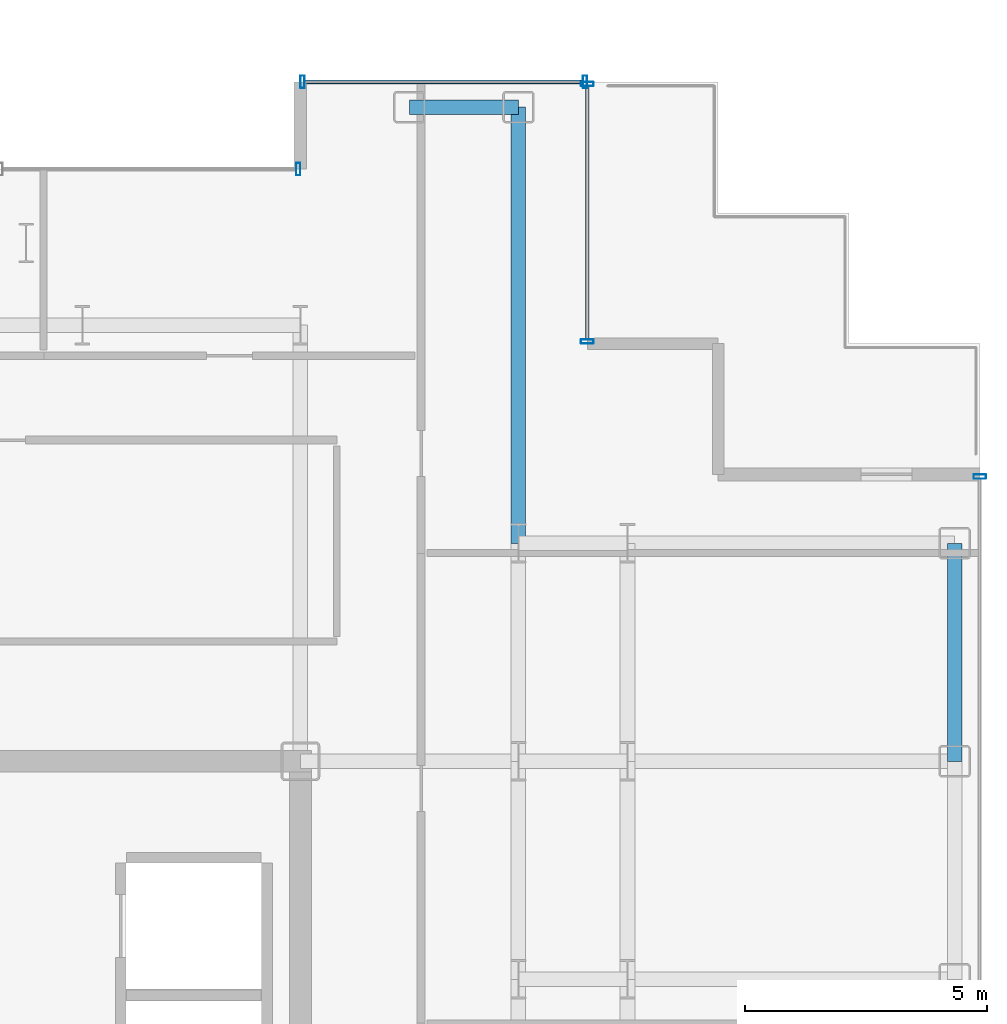
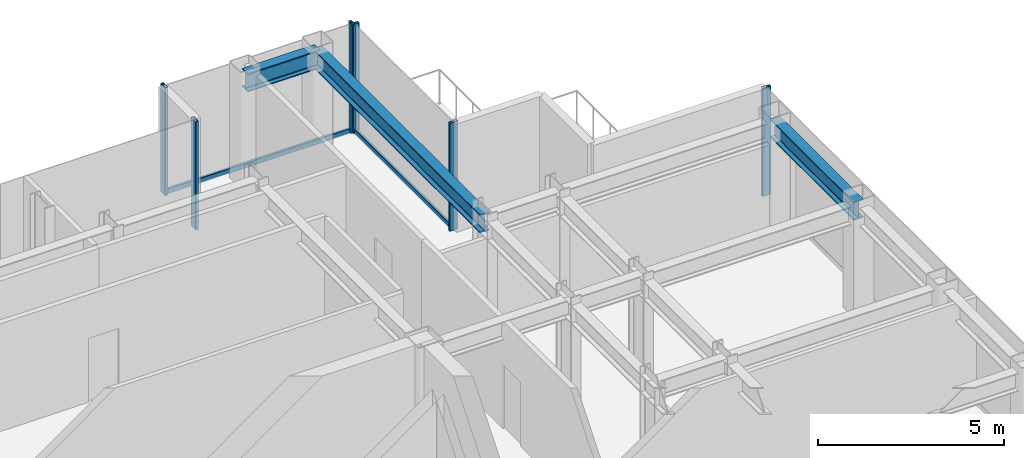
# One storey, part 12 of 20: 8 members, 3 beams, 4 elements without a shape of their own.
"""IFC4 building model written with IfcOpenShell, lengths in metres."""

from ifc_helpers import new_model, si_unit, direction, frame, origin, origin_2d, place, context, subcontext, project, spatial, hollow_rectangle, i_section, extrude, source, transform, mapped, material, layer, layer_set, material_profile, profile_set, type_object, element, aggregate, save


model = new_model("IFC4")

# Units and contexts
model_context = context("Model", 3, precision=1e-05, world=origin(), true_north=direction((0.0, 1.0)))
body_context = subcontext(model_context, "Body", "Model", "MODEL_VIEW")
ifc_project = project(units=[si_unit("LENGTHUNIT", "METRE"), si_unit("AREAUNIT", "SQUARE_METRE"), si_unit("VOLUMEUNIT", "CUBIC_METRE"), si_unit("PLANEANGLEUNIT", "RADIAN"), si_unit("MASSUNIT", "GRAM", prefix="KILO")], contexts=[model_context])

# Site, building, storey
site_placement = place(None, origin())
site = spatial("IfcSite", under=ifc_project, at=site_placement, CompositionType="ELEMENT")
building_placement = place(site_placement, origin())
building = spatial("IfcBuilding", under=site, at=building_placement, Name="Nefas-Gora Pilgrimage Tower", CompositionType="ELEMENT")
storey_placement = place(building_placement, frame((0.0, 0.0, 221.800048828125)))
storey = spatial("IfcBuildingStorey", under=building, at=storey_placement, Name="L55", CompositionType="ELEMENT", Elevation=221.800048828125)

# Beams
ifc_material_1 = material(Name="Steel S355", Category="steel")
ifc_material_profile_1 = material_profile(ifc_material_1, i_section(OverallWidth=0.300048828125, OverallDepth=0.60009765625, WebThickness=0.015380859375, FlangeThickness=0.030029296875, FilletRadius=0.027099609375, at=origin_2d()), Name="HEB 600")
ifc_profile_set_1 = profile_set([ifc_material_profile_1], Name="Steel S355")
beam_type_1 = type_object("IfcBeamType", Name="BM-SPN-HEB450", PredefinedType="SPANDREL", material=ifc_profile_set_1)
shared_shape_1 = source(origin(), body_context, "Body", "SweptSolid", [
    extrude(i_section(OverallWidth=0.300048828125, OverallDepth=0.60009765625, WebThickness=0.015380859375, FlangeThickness=0.030029296875, FilletRadius=0.027099609375, at=origin_2d()), origin(), (0.0, 0.0, 1.0), 4.5),
])
beam_1_placement = place(storey_placement, frame((24.75, 9.0, 3.25), z_axis=(0.0, 1.0, 0.0), x_axis=(-1.0, 0.0, 0.0)))
element("IfcBeam", 1, at=beam_1_placement, inside=storey, type_object=beam_type_1, Name="L55 SP-03 beam", PredefinedType="SPANDREL", context=body_context, shape_type="MappedRepresentation", body=[
    mapped(shared_shape_1, transform((0.0, 0.0, 0.0), x_axis=(1.0, 0.0, 0.0), y_axis=(0.0, 1.0, 0.0), z_axis=(0.0, 0.0, 1.0), scale=1.0)),
])
ifc_material_profile_2 = material_profile(ifc_material_1, i_section(OverallWidth=0.300048828125, OverallDepth=0.60009765625, WebThickness=0.015380859375, FlangeThickness=0.030029296875, FilletRadius=0.027099609375, at=origin_2d()), Name="HEB 600")
ifc_profile_set_2 = profile_set([ifc_material_profile_2], Name="Steel S355")
beam_type_2 = type_object("IfcBeamType", Name="BM-GIR-HEB600", PredefinedType="BEAM", material=ifc_profile_set_2)
shared_shape_2 = source(origin(), body_context, "Body", "SweptSolid", [
    extrude(i_section(OverallWidth=0.300048828125, OverallDepth=0.60009765625, WebThickness=0.015380859375, FlangeThickness=0.030029296875, FilletRadius=0.027099609375, at=origin_2d()), origin(), (0.0, 0.0, 1.0), 9.0),
])
beam_2_placement = place(storey_placement, frame((15.75, 13.5, 3.25), z_axis=(0.0, 1.0, 0.0), x_axis=(-1.0, 0.0, 0.0)))
element("IfcBeam", 2, at=beam_2_placement, inside=storey, type_object=beam_type_2, Name="L55 G-04 beam", PredefinedType="BEAM", context=body_context, shape_type="MappedRepresentation", body=[
    mapped(shared_shape_2, transform((0.0, 0.0, 0.0), x_axis=(1.0, 0.0, 0.0), y_axis=(0.0, 1.0, 0.0), z_axis=(0.0, 0.0, 1.0), scale=1.0)),
])
shared_shape_3 = source(origin(), body_context, "Body", "SweptSolid", [
    extrude(i_section(OverallWidth=0.300048828125, OverallDepth=0.60009765625, WebThickness=0.015380859375, FlangeThickness=0.030029296875, FilletRadius=0.027099609375, at=origin_2d()), origin(), (0.0, 0.0, 1.0), 2.25),
])
beam_3_placement = place(storey_placement, frame((13.5, 22.5, 3.25), z_axis=(1.0, 0.0, 0.0), x_axis=(0.0, 1.0, 0.0)))
element("IfcBeam", 3, at=beam_3_placement, inside=storey, type_object=beam_type_1, Name="L55 SP-03 beam", PredefinedType="SPANDREL", context=body_context, shape_type="MappedRepresentation", body=[
    mapped(shared_shape_3, transform((0.0, 0.0, 0.0), x_axis=(1.0, 0.0, 0.0), y_axis=(0.0, 1.0, 0.0), z_axis=(0.0, 0.0, 1.0), scale=1.0)),
])

# Curtain wall, member
ifc_material_2 = material(Name="Dark ceramic-fritted solar-control aluminium-glass curtain wall", Category="aluminium")
ifc_layer_1 = layer(ifc_material_2, 0.219970703125)
ifc_layer_set_1 = layer_set([ifc_layer_1], Name="Dark ceramic-fritted solar-control aluminium-glass curtain wall")
curtain_wall_type_1 = type_object("IfcCurtainWallType", Name="CW-SYS-5", PredefinedType="NOTDEFINED", material=ifc_layer_set_1)
curtain_wall_1_placement = place(storey_placement, origin())
curtain_wall_1 = element("IfcCurtainWall", 4, at=curtain_wall_1_placement, inside=storey, type_object=curtain_wall_type_1, Name="L55 Unitised Curtain Wall CW5", PredefinedType="NOTDEFINED")
ifc_material_3 = material(Name="Anodised architectural aluminium", Category="aluminium")
ifc_material_profile_3 = material_profile(ifc_material_3, hollow_rectangle(XDim=0.090087890625, YDim=0.260009765625, WallThickness=0.006103515625, InnerFilletRadius=0.006103515625, OuterFilletRadius=0.011962890625, at=origin_2d()), Name="ALU MULLION 90x260")
ifc_profile_set_3 = profile_set([ifc_material_profile_3], Name="Anodised architectural aluminium")
member_type_1 = type_object("IfcMemberType", Name="CWM-MUL-5", PredefinedType="MULLION", material=ifc_profile_set_3)
shared_shape_4 = source(origin(), body_context, "Body", "SweptSolid", [
    extrude(hollow_rectangle(XDim=0.090087890625, YDim=0.260009765625, WallThickness=0.006103515625, InnerFilletRadius=0.006103515625, OuterFilletRadius=0.011962890625, at=origin_2d()), origin(), (0.0, 0.0, 1.0), 3.550048828125),
])
member_1_placement = place(storey_placement, frame((11.205078125, 21.219970703125, 0.0), z_axis=(0.0, 0.0, 1.0), x_axis=(-1.0, 0.0, 0.0)))
member_1 = element("IfcMember", 5, at=member_1_placement, type_object=member_type_1, Name="CW5 Mullion 1", PredefinedType="MULLION", context=body_context, shape_type="MappedRepresentation", body=[
    mapped(shared_shape_4, transform((0.0, 0.0, 0.0), x_axis=(1.0, 0.0, 0.0), y_axis=(0.0, 1.0, 0.0), z_axis=(0.0, 0.0, 1.0), scale=1.0)),
])
aggregate(curtain_wall_1, [member_1])

ifc_layer_2 = layer(ifc_material_2, 0.219970703125)
ifc_layer_set_2 = layer_set([ifc_layer_2], Name="Dark ceramic-fritted solar-control aluminium-glass curtain wall")
curtain_wall_type_2 = type_object("IfcCurtainWallType", Name="CW-SYS-3", PredefinedType="NOTDEFINED", material=ifc_layer_set_2)
curtain_wall_2_placement = place(storey_placement, origin())
curtain_wall_2 = element("IfcCurtainWall", 6, at=curtain_wall_2_placement, inside=storey, type_object=curtain_wall_type_2, Name="L55 Unitised Curtain Wall CW3", PredefinedType="NOTDEFINED")
ifc_material_profile_4 = material_profile(ifc_material_3, hollow_rectangle(XDim=0.090087890625, YDim=0.260009765625, WallThickness=0.006103515625, InnerFilletRadius=0.006103515625, OuterFilletRadius=0.011962890625, at=origin_2d()), Name="ALU MULLION 90x260")
ifc_profile_set_4 = profile_set([ifc_material_profile_4], Name="Anodised architectural aluminium")
member_type_2 = type_object("IfcMemberType", Name="CWM-MUL-3", PredefinedType="MULLION", material=ifc_profile_set_4)
shared_shape_5 = source(origin(), body_context, "Body", "SweptSolid", [
    extrude(hollow_rectangle(XDim=0.090087890625, YDim=0.260009765625, WallThickness=0.006103515625, InnerFilletRadius=0.006103515625, OuterFilletRadius=0.011962890625, at=origin_2d()), origin(), (0.0, 0.0, 1.0), 3.550048828125),
])
member_2_placement = place(storey_placement, frame((25.27001953125, 14.875, 0.0), z_axis=(0.0, 0.0, 1.0), x_axis=(0.0, 1.0, 0.0)))
member_2 = element("IfcMember", 7, at=member_2_placement, type_object=member_type_2, Name="CW3 Mullion 2", PredefinedType="MULLION", context=body_context, shape_type="MappedRepresentation", body=[
    mapped(shared_shape_5, transform((0.0, 0.0, 0.0), x_axis=(1.0, 0.0, 0.0), y_axis=(0.0, 1.0, 0.0), z_axis=(0.0, 0.0, 1.0), scale=1.0)),
])
aggregate(curtain_wall_2, [member_2])

# Curtain wall, members
curtain_wall_3_placement = place(storey_placement, origin())
curtain_wall_3 = element("IfcCurtainWall", 8, at=curtain_wall_3_placement, inside=storey, type_object=curtain_wall_type_2, Name="L55 Unitised Curtain Wall CW3", PredefinedType="NOTDEFINED")
member_3_placement = place(storey_placement, frame((17.169921875, 17.6650390625, 0.0), z_axis=(0.0, 0.0, 1.0), x_axis=(0.0, 1.0, 0.0)))
member_3 = element("IfcMember", 9, at=member_3_placement, type_object=member_type_2, Name="CW3 Mullion 1", PredefinedType="MULLION", context=body_context, shape_type="MappedRepresentation", body=[
    mapped(shared_shape_5, transform((0.0, 0.0, 0.0), x_axis=(1.0, 0.0, 0.0), y_axis=(0.0, 1.0, 0.0), z_axis=(0.0, 0.0, 1.0), scale=1.0)),
])
member_4_placement = place(storey_placement, frame((17.169921875, 22.97509765625, 0.0), z_axis=(0.0, 0.0, 1.0), x_axis=(0.0, 1.0, 0.0)))
member_4 = element("IfcMember", 10, at=member_4_placement, type_object=member_type_2, Name="CW3 Mullion 2", PredefinedType="MULLION", context=body_context, shape_type="MappedRepresentation", body=[
    mapped(shared_shape_5, transform((0.0, 0.0, 0.0), x_axis=(1.0, 0.0, 0.0), y_axis=(0.0, 1.0, 0.0), z_axis=(0.0, 0.0, 1.0), scale=1.0)),
])

curtain_wall_4_placement = place(storey_placement, origin())
curtain_wall_4 = element("IfcCurtainWall", 11, at=curtain_wall_4_placement, inside=storey, type_object=curtain_wall_type_2, Name="L55 Unitised Curtain Wall CW3", PredefinedType="NOTDEFINED")
member_5_placement = place(storey_placement, frame((17.125, 23.02001953125, 0.0), z_axis=(0.0, 0.0, 1.0), x_axis=(-1.0, 0.0, 0.0)))
member_5 = element("IfcMember", 12, at=member_5_placement, type_object=member_type_2, Name="CW3 Mullion 1", PredefinedType="MULLION", context=body_context, shape_type="MappedRepresentation", body=[
    mapped(shared_shape_5, transform((0.0, 0.0, 0.0), x_axis=(1.0, 0.0, 0.0), y_axis=(0.0, 1.0, 0.0), z_axis=(0.0, 0.0, 1.0), scale=1.0)),
])
member_6_placement = place(storey_placement, frame((11.294921875, 23.02001953125, 0.0), z_axis=(0.0, 0.0, 1.0), x_axis=(-1.0, 0.0, 0.0)))
member_6 = element("IfcMember", 13, at=member_6_placement, type_object=member_type_2, Name="CW3 Mullion 2", PredefinedType="MULLION", context=body_context, shape_type="MappedRepresentation", body=[
    mapped(shared_shape_5, transform((0.0, 0.0, 0.0), x_axis=(1.0, 0.0, 0.0), y_axis=(0.0, 1.0, 0.0), z_axis=(0.0, 0.0, 1.0), scale=1.0)),
])

# Member
ifc_material_profile_5 = material_profile(ifc_material_3, hollow_rectangle(XDim=0.080078125, YDim=0.159912109375, WallThickness=0.00439453125, InnerFilletRadius=0.00439453125, OuterFilletRadius=0.009033203125, at=origin_2d()), Name="ALU TRANSOM 80x160")
ifc_profile_set_5 = profile_set([ifc_material_profile_5], Name="Anodised architectural aluminium")
member_type_3 = type_object("IfcMemberType", Name="CWM-TRN-3", PredefinedType="USERDEFINED", material=ifc_profile_set_5)
shared_shape_6 = source(origin(), body_context, "Body", "SweptSolid", [
    extrude(hollow_rectangle(XDim=0.080078125, YDim=0.159912109375, WallThickness=0.00439453125, InnerFilletRadius=0.00439453125, OuterFilletRadius=0.009033203125, at=origin_2d()), origin(), (0.0, 0.0, 1.0), 5.219970703125),
])
member_7_placement = place(storey_placement, frame((17.169921875, 17.7099609375, 0.050048828125), z_axis=(0.0, 1.0, 0.0), x_axis=(-1.0, 0.0, 0.0)))
member_7 = element("IfcMember", 14, at=member_7_placement, type_object=member_type_3, Name="CW3 Spandrel Transom", ObjectType="TRANSOM", PredefinedType="USERDEFINED", context=body_context, shape_type="MappedRepresentation", body=[
    mapped(shared_shape_6, transform((0.0, 0.0, 0.0), x_axis=(1.0, 0.0, 0.0), y_axis=(0.0, 1.0, 0.0), z_axis=(0.0, 0.0, 1.0), scale=1.0)),
])

aggregate(curtain_wall_3, [member_3, member_4, member_7])

shared_shape_7 = source(origin(), body_context, "Body", "SweptSolid", [
    extrude(hollow_rectangle(XDim=0.080078125, YDim=0.159912109375, WallThickness=0.00439453125, InnerFilletRadius=0.00439453125, OuterFilletRadius=0.009033203125, at=origin_2d()), origin(), (0.0, 0.0, 1.0), 5.739990234375),
])
member_8_placement = place(storey_placement, frame((17.080078125, 23.02001953125, 0.050048828125), z_axis=(-1.0, 0.0, 0.0), x_axis=(0.0, -1.0, 0.0)))
member_8 = element("IfcMember", 15, at=member_8_placement, type_object=member_type_3, Name="CW3 Spandrel Transom", ObjectType="TRANSOM", PredefinedType="USERDEFINED", context=body_context, shape_type="MappedRepresentation", body=[
    mapped(shared_shape_7, transform((0.0, 0.0, 0.0), x_axis=(1.0, 0.0, 0.0), y_axis=(0.0, 1.0, 0.0), z_axis=(0.0, 0.0, 1.0), scale=1.0)),
])

aggregate(curtain_wall_4, [member_5, member_6, member_8])

save(model, "model.ifc")
